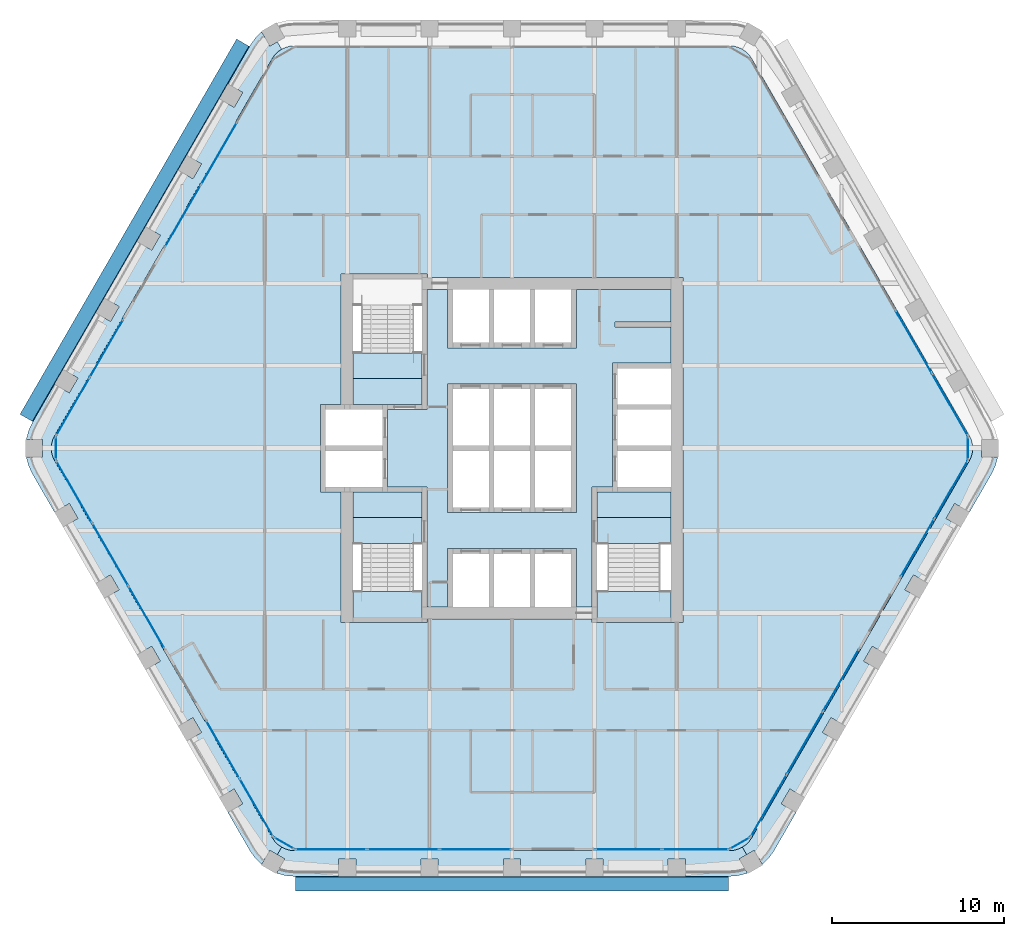
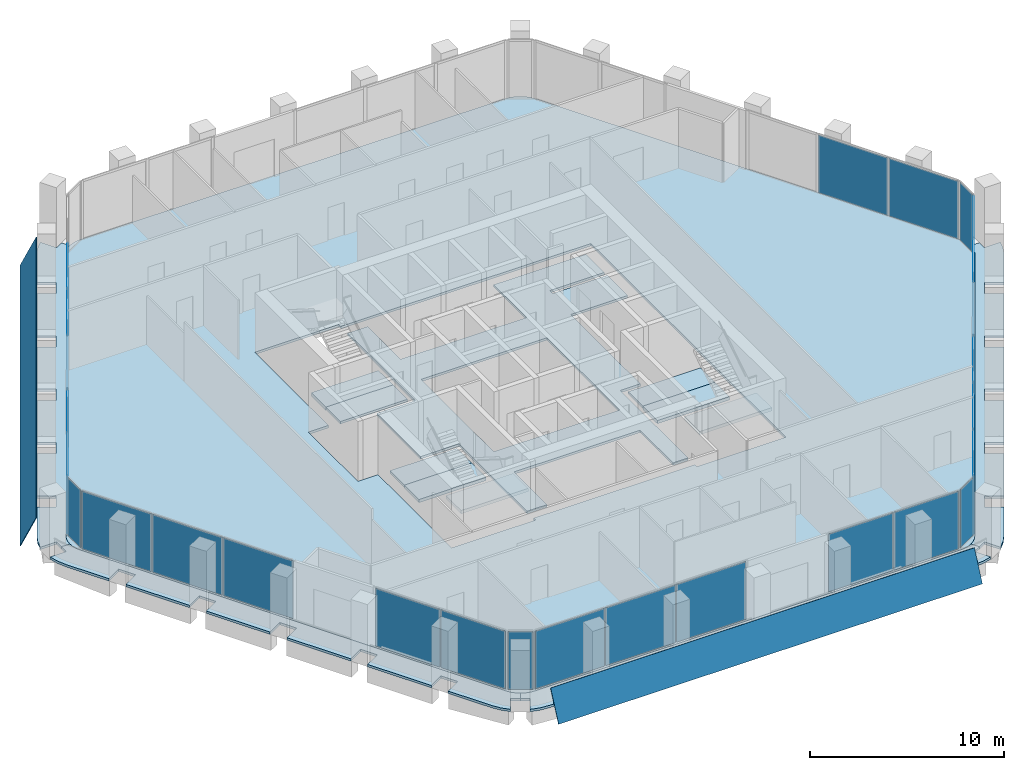
# One storey, part 7 of 15: 27 plates, 14 slabs, 16 elements without a shape of their own.
"""IFC4 building model written with IfcOpenShell, lengths in metres."""

from ifc_helpers import new_model, si_unit, direction, frame, origin, origin_2d, place, context, subcontext, project, spatial, polyline, rectangle, outline, extrude, material, layer, layer_set, type_object, element, aggregate, save


model = new_model("IFC4")

# Units and contexts
model_context = context("Model", 3, precision=1e-05, world=origin(), true_north=direction((0.0, 1.0)))
body_context = subcontext(model_context, "Body", "Model", "MODEL_VIEW")
ifc_project = project(units=[si_unit("LENGTHUNIT", "METRE"), si_unit("AREAUNIT", "SQUARE_METRE"), si_unit("VOLUMEUNIT", "CUBIC_METRE"), si_unit("PLANEANGLEUNIT", "RADIAN"), si_unit("MASSUNIT", "GRAM", prefix="KILO")], contexts=[model_context])

# Site, building, storey
site_placement = place(None, origin())
site = spatial("IfcSite", under=ifc_project, at=site_placement, CompositionType="ELEMENT")
building_placement = place(site_placement, origin())
building = spatial("IfcBuilding", under=site, at=building_placement, Name="Kolab Exchange Tower", CompositionType="ELEMENT")
storey_placement = place(building_placement, frame((0.0, 0.0, 173.89990234375)))
storey = spatial("IfcBuildingStorey", under=building, at=storey_placement, Name="L36", CompositionType="ELEMENT", Elevation=173.89990234375)

# Slabs
ifc_material_1 = material(Name="Concrete C35/45", Category="concrete")
ifc_layer_1 = layer(ifc_material_1, 0.14990234375)
ifc_layer_set_1 = layer_set([ifc_layer_1], Name="Concrete C35/45")
slab_type_1 = type_object("IfcSlabType", Name="FLOOR SLAB 150", PredefinedType="FLOOR", material=ifc_layer_set_1)
slab_1_placement = place(storey_placement, frame((0.0, 0.0, -0.14990234375)))
element("IfcSlab", 1, at=slab_1_placement, inside=storey, type_object=slab_type_1, Name="slab/L36/floor/0", PredefinedType="FLOOR", context=body_context, shape_type="SweptSolid", body=[
    extrude(outline(polyline([(13.967041015625, -22.691650390625), (26.635009765625, -0.75), (26.745361328125, -0.512939453125), (26.81298828125, -0.260498046875), (26.8359375, 0.0), (26.81298828125, 0.260498046875), (26.745361328125, 0.512939453125), (26.635009765625, 0.75), (13.967041015625, 22.691650390625), (13.81689453125, 22.90576171875), (13.632080078125, 23.090576171875), (13.41796875, 23.240478515625), (13.180908203125, 23.35107421875), (12.928466796875, 23.418701171875), (12.66796875, 23.441650390625), (-12.66796875, 23.441650390625), (-12.928466796875, 23.418701171875), (-13.180908203125, 23.35107421875), (-13.41796875, 23.240478515625), (-13.632080078125, 23.090576171875), (-13.81689453125, 22.90576171875), (-13.967041015625, 22.691650390625), (-26.635009765625, 0.75), (-26.745361328125, 0.512939453125), (-26.81298828125, 0.260498046875), (-26.8359375, 0.0), (-26.81298828125, -0.260498046875), (-26.745361328125, -0.512939453125), (-26.635009765625, -0.75), (-13.967041015625, -22.691650390625), (-13.81689453125, -22.90576171875), (-13.632080078125, -23.090576171875), (-13.41796875, -23.240478515625), (-13.180908203125, -23.35107421875), (-12.928466796875, -23.418701171875), (-12.66796875, -23.441650390625), (12.66796875, -23.441650390625), (12.928466796875, -23.418701171875), (13.180908203125, -23.35107421875), (13.41796875, -23.240478515625), (13.632080078125, -23.090576171875), (13.81689453125, -22.90576171875), (13.967041015625, -22.691650390625)]), holes=[polyline([(-9.25, -10.14990234375), (-9.949951171875, -10.14990234375), (-9.949951171875, -2.550048828125), (-10.85009765625, -2.550048828125), (-11.14990234375, -2.550048828125), (-11.14990234375, 2.550048828125), (-10.85009765625, 2.550048828125), (-9.949951171875, 2.550048828125), (-9.949951171875, 10.14990234375), (-9.25, 10.14990234375), (-5.25, 10.14990234375), (-4.949951171875, 10.14990234375), (-4.949951171875, 9.949951171875), (9.25, 9.949951171875), (9.949951171875, 9.949951171875), (9.949951171875, -10.14990234375), (9.25, -10.14990234375), (4.949951171875, -10.14990234375), (4.64990234375, -10.14990234375), (4.64990234375, -9.949951171875), (-4.949951171875, -9.949951171875), (-4.949951171875, -10.14990234375), (-5.25, -10.14990234375), (-9.25, -10.14990234375)])]), origin(), (0.0, 0.0, 1.0), 0.14990234375),
])
slab_2_placement = place(storey_placement, frame((0.0, 0.0, -0.14990234375)))
element("IfcSlab", 2, at=slab_2_placement, inside=storey, type_object=slab_type_1, Name="slab/L36/floor/1", PredefinedType="FLOOR", context=body_context, shape_type="SweptSolid", body=[
    extrude(outline(polyline([(-4.949951171875, 9.25), (-4.949951171875, 2.25), (-5.25, 2.25), (-7.25, 2.25), (-7.25, -2.25), (-5.25, -2.25), (-4.949951171875, -2.25), (-4.949951171875, -9.25), (-3.75, -9.25), (-3.75, -5.85009765625), (-3.449951171875, -5.85009765625), (-1.35009765625, -5.85009765625), (-1.050048828125, -5.85009765625), (1.050048828125, -5.85009765625), (1.35009765625, -5.85009765625), (3.449951171875, -5.85009765625), (3.75, -5.85009765625), (3.75, -9.25), (4.64990234375, -9.25), (4.64990234375, -2.25), (4.949951171875, -2.25), (5.85009765625, -2.25), (5.85009765625, 4.949951171875), (6.14990234375, 4.949951171875), (9.25, 4.949951171875), (9.25, 7.050048828125), (6.0, 7.050048828125), (6.0, 7.35009765625), (9.25, 7.35009765625), (9.25, 9.25), (3.75, 9.25), (3.75, 5.85009765625), (3.449951171875, 5.85009765625), (1.35009765625, 5.85009765625), (1.050048828125, 5.85009765625), (-1.050048828125, 5.85009765625), (-1.35009765625, 5.85009765625), (-3.449951171875, 5.85009765625), (-3.75, 5.85009765625), (-3.75, 9.25), (-4.949951171875, 9.25)]), holes=[polyline([(-3.449951171875, -3.75), (-3.75, -3.75), (-3.75, 3.75), (-3.449951171875, 3.75), (-1.35009765625, 3.75), (-1.050048828125, 3.75), (1.050048828125, 3.75), (1.35009765625, 3.75), (3.449951171875, 3.75), (3.75, 3.75), (3.75, -3.75), (3.449951171875, -3.75), (1.35009765625, -3.75), (1.050048828125, -3.75), (-1.050048828125, -3.75), (-1.35009765625, -3.75), (-3.449951171875, -3.75)])]), origin(), (0.0, 0.0, 1.0), 0.14990234375),
])
slab_3_placement = place(storey_placement, frame((0.0, 0.0, -0.14990234375)))
element("IfcSlab", 3, at=slab_3_placement, inside=storey, type_object=slab_type_1, Name="slab/L36/floor/2", PredefinedType="FLOOR", context=body_context, shape_type="SweptSolid", body=[
    extrude(outline(polyline([(4.949951171875, -4.050048828125), (9.25, -4.050048828125), (9.25, -2.550048828125), (6.14990234375, -2.550048828125), (5.85009765625, -2.550048828125), (4.949951171875, -2.550048828125), (4.949951171875, -4.050048828125)])), origin(), (0.0, 0.0, 1.0), 0.14990234375),
])
slab_4_placement = place(storey_placement, frame((0.0, 0.0, -0.14990234375)))
element("IfcSlab", 4, at=slab_4_placement, inside=storey, type_object=slab_type_1, Name="slab/L36/floor/3", PredefinedType="FLOOR", context=body_context, shape_type="SweptSolid", body=[
    extrude(outline(polyline([(-7.550048828125, -2.550048828125), (-9.25, -2.550048828125), (-9.25, -4.050048828125), (-5.25, -4.050048828125), (-5.25, -2.550048828125), (-7.25, -2.550048828125), (-7.550048828125, -2.550048828125)])), origin(), (0.0, 0.0, 1.0), 0.14990234375),
])
slab_5_placement = place(storey_placement, frame((0.0, 0.0, -0.14990234375)))
element("IfcSlab", 5, at=slab_5_placement, inside=storey, type_object=slab_type_1, Name="slab/L36/floor/4", PredefinedType="FLOOR", context=body_context, shape_type="SweptSolid", body=[
    extrude(outline(polyline([(-9.25, 2.550048828125), (-7.550048828125, 2.550048828125), (-7.25, 2.550048828125), (-5.25, 2.550048828125), (-5.25, 4.050048828125), (-9.25, 4.050048828125), (-9.25, 2.550048828125)])), origin(), (0.0, 0.0, 1.0), 0.14990234375),
])
ifc_layer_2 = layer(ifc_material_1, 0.14990234375)
ifc_layer_set_2 = layer_set([ifc_layer_2], Name="Concrete C35/45")
slab_type_2 = type_object("IfcSlabType", Name="LOGGIA SLAB 150", PredefinedType="FLOOR", material=ifc_layer_set_2)
slab_6_placement = place(storey_placement, frame((0.0, 0.0, -0.14990234375)))
element("IfcSlab", 6, at=slab_6_placement, inside=storey, type_object=slab_type_2, Name="slab/L36/loggia/2-0", PredefinedType="FLOOR", context=body_context, shape_type="SweptSolid", body=[
    extrude(outline(polyline([(15.26611328125, -23.441650390625), (16.550048828125, -21.217529296875), (15.68408203125, -20.717529296875), (16.18408203125, -19.8515625), (17.050048828125, -20.3515625), (18.949951171875, -17.060791015625), (18.083984375, -16.560791015625), (18.583984375, -15.694580078125), (19.449951171875, -16.194580078125), (21.35009765625, -12.90380859375), (20.48388671875, -12.40380859375), (20.98388671875, -11.537841796875), (21.85009765625, -12.037841796875), (23.75, -8.746826171875), (22.884033203125, -8.246826171875), (23.384033203125, -7.380859375), (24.25, -7.880859375), (26.14990234375, -4.58984375), (25.283935546875, -4.08984375), (25.783935546875, -3.223876953125), (26.64990234375, -3.723876953125), (27.93408203125, -1.5), (28.155029296875, -1.026123046875), (28.290283203125, -0.52099609375), (28.292236328125, -0.5), (27.3359375, -0.5), (27.3359375, 0.0), (26.8359375, 0.0), (26.81298828125, -0.260498046875), (26.745361328125, -0.512939453125), (26.635009765625, -0.75), (13.967041015625, -22.691650390625), (13.81689453125, -22.90576171875), (13.632080078125, -23.090576171875), (13.41796875, -23.240478515625), (13.66796875, -23.673583984375), (14.10107421875, -23.423583984375), (14.5791015625, -24.251708984375), (14.59619140625, -24.23974609375), (14.966064453125, -23.869873046875), (15.26611328125, -23.441650390625)])), origin(), (0.0, 0.0, 1.0), 0.14990234375),
])
slab_7_placement = place(storey_placement, frame((0.0, 0.0, -0.14990234375)))
element("IfcSlab", 7, at=slab_7_placement, inside=storey, type_object=slab_type_2, Name="slab/L36/loggia/3-0", PredefinedType="FLOOR", context=body_context, shape_type="SweptSolid", body=[
    extrude(outline(polyline([(-13.41796875, -23.240478515625), (-13.66796875, -23.673583984375), (-13.23486328125, -23.923583984375), (-13.713134765625, -24.751708984375), (-13.694091796875, -24.760498046875), (-13.18896484375, -24.89599609375), (-12.66796875, -24.941650390625), (-10.10009765625, -24.941650390625), (-10.10009765625, -23.941650390625), (-9.10009765625, -23.941650390625), (-9.10009765625, -24.941650390625), (-5.300048828125, -24.941650390625), (-5.300048828125, -23.941650390625), (-4.300048828125, -23.941650390625), (-4.300048828125, -24.941650390625), (-0.5, -24.941650390625), (-0.5, -23.941650390625), (0.5, -23.941650390625), (0.5, -24.941650390625), (4.300048828125, -24.941650390625), (4.300048828125, -23.941650390625), (5.300048828125, -23.941650390625), (5.300048828125, -24.941650390625), (9.10009765625, -24.941650390625), (9.10009765625, -23.941650390625), (10.10009765625, -23.941650390625), (10.10009765625, -24.941650390625), (12.66796875, -24.941650390625), (13.18896484375, -24.89599609375), (13.694091796875, -24.760498046875), (13.713134765625, -24.751708984375), (13.23486328125, -23.923583984375), (13.66796875, -23.673583984375), (13.41796875, -23.240478515625), (13.180908203125, -23.35107421875), (12.928466796875, -23.418701171875), (12.66796875, -23.441650390625), (-12.66796875, -23.441650390625), (-12.928466796875, -23.418701171875), (-13.180908203125, -23.35107421875), (-13.41796875, -23.240478515625)])), origin(), (0.0, 0.0, 1.0), 0.14990234375),
])
slab_8_placement = place(storey_placement, frame((0.0, 0.0, -0.14990234375)))
element("IfcSlab", 8, at=slab_8_placement, inside=storey, type_object=slab_type_2, Name="slab/L36/loggia/4-0", PredefinedType="FLOOR", context=body_context, shape_type="SweptSolid", body=[
    extrude(outline(polyline([(-26.8359375, 0.0), (-27.3359375, 0.0), (-27.3359375, -0.5), (-28.292236328125, -0.5), (-28.290283203125, -0.52099609375), (-28.155029296875, -1.026123046875), (-27.93408203125, -1.5), (-26.64990234375, -3.723876953125), (-25.783935546875, -3.223876953125), (-25.283935546875, -4.08984375), (-26.14990234375, -4.58984375), (-24.25, -7.880859375), (-23.384033203125, -7.380859375), (-22.884033203125, -8.246826171875), (-23.75, -8.746826171875), (-21.85009765625, -12.037841796875), (-20.98388671875, -11.537841796875), (-20.48388671875, -12.40380859375), (-21.35009765625, -12.90380859375), (-19.449951171875, -16.194580078125), (-18.583984375, -15.694580078125), (-18.083984375, -16.560791015625), (-18.949951171875, -17.060791015625), (-17.050048828125, -20.3515625), (-16.18408203125, -19.8515625), (-15.68408203125, -20.717529296875), (-16.550048828125, -21.217529296875), (-15.26611328125, -23.441650390625), (-14.966064453125, -23.869873046875), (-14.59619140625, -24.23974609375), (-14.5791015625, -24.251708984375), (-14.10107421875, -23.423583984375), (-13.66796875, -23.673583984375), (-13.41796875, -23.240478515625), (-13.632080078125, -23.090576171875), (-13.81689453125, -22.90576171875), (-13.967041015625, -22.691650390625), (-26.635009765625, -0.75), (-26.745361328125, -0.512939453125), (-26.81298828125, -0.260498046875), (-26.8359375, 0.0)])), origin(), (0.0, 0.0, 1.0), 0.14990234375),
])
slab_9_placement = place(storey_placement, frame((0.0, 0.0, -0.14990234375)))
element("IfcSlab", 9, at=slab_9_placement, inside=storey, type_object=slab_type_2, Name="slab/L36/loggia/5-0", PredefinedType="FLOOR", context=body_context, shape_type="SweptSolid", body=[
    extrude(outline(polyline([(-13.41796875, 23.240478515625), (-13.66796875, 23.673583984375), (-14.10107421875, 23.423583984375), (-14.5791015625, 24.251708984375), (-14.59619140625, 24.23974609375), (-14.966064453125, 23.869873046875), (-15.26611328125, 23.441650390625), (-16.550048828125, 21.217529296875), (-15.68408203125, 20.717529296875), (-16.18408203125, 19.8515625), (-17.050048828125, 20.3515625), (-18.949951171875, 17.060791015625), (-18.083984375, 16.560791015625), (-18.583984375, 15.694580078125), (-19.449951171875, 16.194580078125), (-21.35009765625, 12.90380859375), (-20.48388671875, 12.40380859375), (-20.98388671875, 11.537841796875), (-21.85009765625, 12.037841796875), (-23.75, 8.746826171875), (-22.884033203125, 8.246826171875), (-23.384033203125, 7.380859375), (-24.25, 7.880859375), (-26.14990234375, 4.58984375), (-25.283935546875, 4.08984375), (-25.783935546875, 3.223876953125), (-26.64990234375, 3.723876953125), (-27.93408203125, 1.5), (-28.155029296875, 1.026123046875), (-28.290283203125, 0.52099609375), (-28.292236328125, 0.5), (-27.3359375, 0.5), (-27.3359375, 0.0), (-26.8359375, 0.0), (-26.81298828125, 0.260498046875), (-26.745361328125, 0.512939453125), (-26.635009765625, 0.75), (-13.967041015625, 22.691650390625), (-13.81689453125, 22.90576171875), (-13.632080078125, 23.090576171875), (-13.41796875, 23.240478515625)])), origin(), (0.0, 0.0, 1.0), 0.14990234375),
])

# Plates
ifc_material_2 = material(Name="Laminated glass, clear", Category="glass")
ifc_layer_3 = layer(ifc_material_2, 0.0400390625)
ifc_layer_set_3 = layer_set([ifc_layer_3], Name="Laminated glass, clear")
plate_type_1 = type_object("IfcPlateType", Name="OUTER SKIN LAMINATED GLASS SHEET 40", PredefinedType="SHEET", material=ifc_layer_set_3)
plate_1_placement = place(storey_placement, frame((12.617919921875, -25.806640625, -0.68310546875), z_axis=(0.0, -0.906316657655, 0.422599238118), x_axis=(-1.0, 0.0, 0.0)))
element("IfcPlate", 10, at=plate_1_placement, inside=storey, type_object=plate_type_1, Name="Outer skin", PredefinedType="SHEET", context=body_context, shape_type="SweptSolid", body=[
    extrude(outline(polyline([(0.0, 0.0), (25.23583984375, 0.0), (25.23583984375, -1.961332030711248), (0.0, -1.961332030711248), (0.0, 0.0)])), origin(), (0.0, 0.0, -1.0), 0.0400390625),
])
plate_2_placement = place(storey_placement, frame((-28.658203125, 1.975830078125, -0.68310546875), z_axis=(-0.784898656704, 0.453161865271, 0.422585402693), x_axis=(0.499999968995, 0.866025421685, -9.26315e-07)))
element("IfcPlate", 11, at=plate_2_placement, inside=storey, type_object=plate_type_1, Name="Outer skin", PredefinedType="SHEET", context=body_context, shape_type="SweptSolid", body=[
    extrude(outline(polyline([(0.0, 0.0), (25.23592824607872, 0.0), (25.23580178082614, -1.96134386267648), (8.496673513263058e-05, -1.9612922777250188), (0.0, 0.0)])), origin(), (0.0, 0.0, -1.0), 0.0400390625),
])

# Stair, slab
ifc_material_3 = material(Name="Concrete C50/60", Category="concrete")
stair_type_1 = type_object("IfcStairType", Name="STAIR ST1 RISER 177.3", PredefinedType="HALF_TURN_STAIR", material=ifc_material_3)
stair_1_placement = place(storey_placement, origin())
stair_1 = element("IfcStair", 12, at=stair_1_placement, inside=storey, type_object=stair_type_1, Name="Stair 1", PredefinedType="HALF_TURN_STAIR")
ifc_layer_4 = layer(ifc_material_3, 0.199951171875)
ifc_layer_set_4 = layer_set([ifc_layer_4], Name="Concrete C50/60")
slab_type_3 = type_object("IfcSlabType", Name="STAIR LANDING 200", PredefinedType="LANDING", material=ifc_layer_set_4)
slab_10_placement = place(storey_placement, frame((0.0, 0.0, -0.199951171875)))
slab_10 = element("IfcSlab", 13, at=slab_10_placement, type_object=slab_type_3, Name="ST1 landing 1", PredefinedType="LANDING", context=body_context, shape_type="SweptSolid", body=[
    extrude(outline(polyline([(-9.25, 4.050048828125), (-5.25, 4.050048828125), (-5.25, 5.550048828125), (-9.25, 5.550048828125), (-9.25, 4.050048828125)])), origin(), (0.0, 0.0, 1.0), 0.199951171875),
])
aggregate(stair_1, [slab_10])

# Stair, slabs
stair_type_2 = type_object("IfcStairType", Name="STAIR ST3 RISER 177.3", PredefinedType="HALF_TURN_STAIR", material=ifc_material_3)
stair_2_placement = place(storey_placement, origin())
stair_2 = element("IfcStair", 14, at=stair_2_placement, inside=storey, type_object=stair_type_2, Name="Stair 3", PredefinedType="HALF_TURN_STAIR")
slab_11_placement = place(storey_placement, frame((0.0, 0.0, -0.199951171875)))
slab_11 = element("IfcSlab", 15, at=slab_11_placement, type_object=slab_type_3, Name="ST3 landing 1", PredefinedType="LANDING", context=body_context, shape_type="SweptSolid", body=[
    extrude(outline(polyline([(-9.25, -5.550048828125), (-5.25, -5.550048828125), (-5.25, -4.050048828125), (-9.25, -4.050048828125), (-9.25, -5.550048828125)])), origin(), (0.0, 0.0, 1.0), 0.199951171875),
])
slab_12_placement = place(storey_placement, frame((0.0, 0.0, 1.75)))
slab_12 = element("IfcSlab", 16, at=slab_12_placement, type_object=slab_type_3, Name="ST3 landing 2", PredefinedType="LANDING", context=body_context, shape_type="SweptSolid", body=[
    extrude(outline(polyline([(-9.25, -9.909912109375), (-5.25, -9.909912109375), (-5.25, -8.35009765625), (-9.25, -8.35009765625), (-9.25, -9.909912109375)])), origin(), (0.0, 0.0, 1.0), 0.2001953125),
])
aggregate(stair_2, [slab_11, slab_12])

stair_type_3 = type_object("IfcStairType", Name="STAIR ST2 RISER 177.3", PredefinedType="HALF_TURN_STAIR", material=ifc_material_3)
stair_3_placement = place(storey_placement, origin())
stair_3 = element("IfcStair", 17, at=stair_3_placement, inside=storey, type_object=stair_type_3, Name="Stair 2", PredefinedType="HALF_TURN_STAIR")
slab_13_placement = place(storey_placement, frame((0.0, 0.0, -0.199951171875)))
slab_13 = element("IfcSlab", 18, at=slab_13_placement, type_object=slab_type_3, Name="ST2 landing 1", PredefinedType="LANDING", context=body_context, shape_type="SweptSolid", body=[
    extrude(outline(polyline([(4.949951171875, -5.550048828125), (9.25, -5.550048828125), (9.25, -4.050048828125), (4.949951171875, -4.050048828125), (4.949951171875, -5.550048828125)])), origin(), (0.0, 0.0, 1.0), 0.199951171875),
])
slab_14_placement = place(storey_placement, frame((0.0, 0.0, 1.75)))
slab_14 = element("IfcSlab", 19, at=slab_14_placement, type_object=slab_type_3, Name="ST2 landing 2", PredefinedType="LANDING", context=body_context, shape_type="SweptSolid", body=[
    extrude(outline(polyline([(4.949951171875, -9.909912109375), (9.25, -9.909912109375), (9.25, -8.35009765625), (4.949951171875, -8.35009765625), (4.949951171875, -9.909912109375)])), origin(), (0.0, 0.0, 1.0), 0.2001953125),
])
aggregate(stair_3, [slab_13, slab_14])

# Curtain wall, plates
ifc_material_4 = material(Name="Aluminium EN AW-6063 T6", Category="aluminium")
curtain_wall_type = type_object("IfcCurtainWallType", Name="UNITISED UPPER MID ZONE CURTAIN WALL", PredefinedType="NOTDEFINED", material=ifc_material_4)
curtain_wall_1_placement = place(storey_placement, origin())
curtain_wall_1 = element("IfcCurtainWall", 20, at=curtain_wall_1_placement, inside=storey, type_object=curtain_wall_type, Name="cw/L36/F2-2", PredefinedType="NOTDEFINED")
ifc_material_5 = material(Name="Clear insulated glazing unit", Category="glass")
ifc_layer_5 = layer(ifc_material_5, 0.028076171875)
ifc_layer_set_5 = layer_set([ifc_layer_5], Name="Clear insulated glazing unit")
plate_type_2 = type_object("IfcPlateType", Name="UNITISED UPPER MID ZONE GLASS PANEL 28", PredefinedType="CURTAIN_PANEL", material=ifc_layer_set_5)
plate_3_placement = place(storey_placement, frame((23.398681640625, 6.1953125, 0.06005859375), z_axis=(0.0, 0.0, 1.0), x_axis=(0.499999958358, -0.866025427826, 0.0)))
plate_3 = element("IfcPlate", 21, at=plate_3_placement, type_object=plate_type_2, Name="CW3 panel 2.1", PredefinedType="CURTAIN_PANEL", context=body_context, shape_type="SweptSolid", body=[
    extrude(rectangle(XDim=4.16259765625, YDim=0.028076171875, at=origin_2d()), origin(), (0.0, 0.0, 1.0), 3.6298828125),
])
plate_4_placement = place(storey_placement, frame((25.50244140625, 2.551513671875, 0.06005859375), z_axis=(0.0, 0.0, 1.0), x_axis=(0.499999958358, -0.866025427826, 0.0)))
plate_4 = element("IfcPlate", 22, at=plate_4_placement, type_object=plate_type_2, Name="CW3 panel 3.1", PredefinedType="CURTAIN_PANEL", context=body_context, shape_type="SweptSolid", body=[
    extrude(rectangle(XDim=4.132568359375, YDim=0.028076171875, at=origin_2d()), origin(), (0.0, 0.0, 1.0), 3.6298828125),
])
aggregate(curtain_wall_1, [plate_3, plate_4])

curtain_wall_2_placement = place(storey_placement, origin())
curtain_wall_2 = element("IfcCurtainWall", 23, at=curtain_wall_2_placement, inside=storey, type_object=curtain_wall_type, Name="cw/L36/F3-1", PredefinedType="NOTDEFINED")
plate_5_placement = place(storey_placement, frame((25.57470703125, -2.426513671875, 0.06005859375), z_axis=(0.0, 0.0, 1.0), x_axis=(-0.499999936366, -0.866025440524, 0.0)))
plate_5 = element("IfcPlate", 24, at=plate_5_placement, type_object=plate_type_2, Name="CW3 panel 1.1", PredefinedType="CURTAIN_PANEL", context=body_context, shape_type="SweptSolid", body=[
    extrude(rectangle(XDim=3.843994140625, YDim=0.028076171875, at=origin_2d()), origin(), (0.0, 0.0, 1.0), 3.6298828125),
])
plate_6_placement = place(storey_placement, frame((23.62255859375, -5.807373046875, 0.06005859375), z_axis=(0.0, 0.0, 1.0), x_axis=(-0.499999936366, -0.866025440524, 0.0)))
plate_6 = element("IfcPlate", 25, at=plate_6_placement, type_object=plate_type_2, Name="CW3 panel 2.1", PredefinedType="CURTAIN_PANEL", context=body_context, shape_type="SweptSolid", body=[
    extrude(rectangle(XDim=3.843994140625, YDim=0.028076171875, at=origin_2d()), origin(), (0.0, 0.0, 1.0), 3.6298828125),
])
aggregate(curtain_wall_2, [plate_5, plate_6])

curtain_wall_3_placement = place(storey_placement, origin())
curtain_wall_3 = element("IfcCurtainWall", 26, at=curtain_wall_3_placement, inside=storey, type_object=curtain_wall_type, Name="cw/L36/F3-2", PredefinedType="NOTDEFINED")
plate_7_placement = place(storey_placement, frame((19.16845703125, -13.522216796875, 0.06005859375), z_axis=(0.0, 0.0, 1.0), x_axis=(-0.500000017564, -0.866025393644, 0.0)))
plate_7 = element("IfcPlate", 27, at=plate_7_placement, type_object=plate_type_2, Name="CW3 panel 1.1", PredefinedType="CURTAIN_PANEL", context=body_context, shape_type="SweptSolid", body=[
    extrude(rectangle(XDim=4.132568359375, YDim=0.028076171875, at=origin_2d()), origin(), (0.0, 0.0, 1.0), 3.6298828125),
])
plate_8_placement = place(storey_placement, frame((17.064697265625, -17.166259765625, 0.06005859375), z_axis=(0.0, 0.0, 1.0), x_axis=(-0.500000017564, -0.866025393644, 0.0)))
plate_8 = element("IfcPlate", 28, at=plate_8_placement, type_object=plate_type_2, Name="CW3 panel 2.1", PredefinedType="CURTAIN_PANEL", context=body_context, shape_type="SweptSolid", body=[
    extrude(rectangle(XDim=4.16259765625, YDim=0.028076171875, at=origin_2d()), origin(), (0.0, 0.0, 1.0), 3.6298828125),
])
plate_9_placement = place(storey_placement, frame((14.9609375, -20.81005859375, 0.06005859375), z_axis=(0.0, 0.0, 1.0), x_axis=(-0.500000017564, -0.866025393644, 0.0)))
plate_9 = element("IfcPlate", 29, at=plate_9_placement, type_object=plate_type_2, Name="CW3 panel 3.1", PredefinedType="CURTAIN_PANEL", context=body_context, shape_type="SweptSolid", body=[
    extrude(rectangle(XDim=4.132568359375, YDim=0.028076171875, at=origin_2d()), origin(), (0.0, 0.0, 1.0), 3.6298828125),
])
aggregate(curtain_wall_3, [plate_7, plate_8, plate_9])

curtain_wall_4_placement = place(storey_placement, origin())
curtain_wall_4 = element("IfcCurtainWall", 30, at=curtain_wall_4_placement, inside=storey, type_object=curtain_wall_type, Name="cw/L36/F4-1", PredefinedType="NOTDEFINED")
plate_10_placement = place(storey_placement, frame((10.68603515625, -23.361572265625, 0.06005859375), z_axis=(0.0, 0.0, 1.0), x_axis=(-1.0, 0.0, 0.0)))
plate_10 = element("IfcPlate", 31, at=plate_10_placement, type_object=plate_type_2, Name="CW3 panel 1.1", PredefinedType="CURTAIN_PANEL", context=body_context, shape_type="SweptSolid", body=[
    extrude(rectangle(XDim=3.843994140625, YDim=0.028076171875, at=origin_2d()), origin(), (0.0, 0.0, 1.0), 3.6298828125),
])
plate_11_placement = place(storey_placement, frame((6.781982421875, -23.361572265625, 0.06005859375), z_axis=(0.0, 0.0, 1.0), x_axis=(-1.0, 0.0, 0.0)))
plate_11 = element("IfcPlate", 32, at=plate_11_placement, type_object=plate_type_2, Name="CW3 panel 2.1", PredefinedType="CURTAIN_PANEL", context=body_context, shape_type="SweptSolid", body=[
    extrude(rectangle(XDim=3.843994140625, YDim=0.028076171875, at=origin_2d()), origin(), (0.0, 0.0, 1.0), 3.6298828125),
])
aggregate(curtain_wall_4, [plate_10, plate_11])

curtain_wall_5_placement = place(storey_placement, origin())
curtain_wall_5 = element("IfcCurtainWall", 33, at=curtain_wall_5_placement, inside=storey, type_object=curtain_wall_type, Name="cw/L36/F4-2", PredefinedType="NOTDEFINED")
plate_12_placement = place(storey_placement, frame((-2.126220703125, -23.361572265625, 0.06005859375), z_axis=(0.0, 0.0, 1.0), x_axis=(-1.0, 0.0, 0.0)))
plate_12 = element("IfcPlate", 34, at=plate_12_placement, type_object=plate_type_2, Name="CW3 panel 1.1", PredefinedType="CURTAIN_PANEL", context=body_context, shape_type="SweptSolid", body=[
    extrude(rectangle(XDim=4.132568359375, YDim=0.028076171875, at=origin_2d()), origin(), (0.0, 0.0, 1.0), 3.6298828125),
])
plate_13_placement = place(storey_placement, frame((-6.333984375, -23.361572265625, 0.06005859375), z_axis=(0.0, 0.0, 1.0), x_axis=(-1.0, 0.0, 0.0)))
plate_13 = element("IfcPlate", 35, at=plate_13_placement, type_object=plate_type_2, Name="CW3 panel 2.1", PredefinedType="CURTAIN_PANEL", context=body_context, shape_type="SweptSolid", body=[
    extrude(rectangle(XDim=4.16259765625, YDim=0.028076171875, at=origin_2d()), origin(), (0.0, 0.0, 1.0), 3.6298828125),
])
plate_14_placement = place(storey_placement, frame((-10.54150390625, -23.361572265625, 0.06005859375), z_axis=(0.0, 0.0, 1.0), x_axis=(-1.0, 0.0, 0.0)))
plate_14 = element("IfcPlate", 36, at=plate_14_placement, type_object=plate_type_2, Name="CW3 panel 3.1", PredefinedType="CURTAIN_PANEL", context=body_context, shape_type="SweptSolid", body=[
    extrude(rectangle(XDim=4.132568359375, YDim=0.028076171875, at=origin_2d()), origin(), (0.0, 0.0, 1.0), 3.6298828125),
])
aggregate(curtain_wall_5, [plate_12, plate_13, plate_14])

curtain_wall_6_placement = place(storey_placement, origin())
curtain_wall_6 = element("IfcCurtainWall", 37, at=curtain_wall_6_placement, inside=storey, type_object=curtain_wall_type, Name="cw/L36/F5-1", PredefinedType="NOTDEFINED")
plate_15_placement = place(storey_placement, frame((-14.888671875, -20.93505859375, 0.06005859375), z_axis=(0.0, 0.0, 1.0), x_axis=(-0.500000031681, 0.866025385493, 0.0)))
plate_15 = element("IfcPlate", 38, at=plate_15_placement, type_object=plate_type_2, Name="CW3 panel 1.1", PredefinedType="CURTAIN_PANEL", context=body_context, shape_type="SweptSolid", body=[
    extrude(rectangle(XDim=3.843994140625, YDim=0.028076171875, at=origin_2d()), origin(), (0.0, 0.0, 1.0), 3.6298828125),
])
plate_16_placement = place(storey_placement, frame((-16.840576171875, -17.55419921875, 0.06005859375), z_axis=(0.0, 0.0, 1.0), x_axis=(-0.500000031681, 0.866025385493, 0.0)))
plate_16 = element("IfcPlate", 39, at=plate_16_placement, type_object=plate_type_2, Name="CW3 panel 2.1", PredefinedType="CURTAIN_PANEL", context=body_context, shape_type="SweptSolid", body=[
    extrude(rectangle(XDim=3.843994140625, YDim=0.028076171875, at=origin_2d()), origin(), (0.0, 0.0, 1.0), 3.6298828125),
])
aggregate(curtain_wall_6, [plate_15, plate_16])

curtain_wall_7_placement = place(storey_placement, origin())
curtain_wall_7 = element("IfcCurtainWall", 40, at=curtain_wall_7_placement, inside=storey, type_object=curtain_wall_type, Name="cw/L36/F5-2", PredefinedType="NOTDEFINED")
plate_17_placement = place(storey_placement, frame((-21.294921875, -9.83935546875, 0.06005859375), z_axis=(0.0, 0.0, 1.0), x_axis=(-0.499999958358, 0.866025427826, 0.0)))
plate_17 = element("IfcPlate", 41, at=plate_17_placement, type_object=plate_type_2, Name="CW3 panel 1.1", PredefinedType="CURTAIN_PANEL", context=body_context, shape_type="SweptSolid", body=[
    extrude(rectangle(XDim=4.132568359375, YDim=0.028076171875, at=origin_2d()), origin(), (0.0, 0.0, 1.0), 3.6298828125),
])
plate_18_placement = place(storey_placement, frame((-23.398681640625, -6.1953125, 0.06005859375), z_axis=(0.0, 0.0, 1.0), x_axis=(-0.499999958358, 0.866025427826, 0.0)))
plate_18 = element("IfcPlate", 42, at=plate_18_placement, type_object=plate_type_2, Name="CW3 panel 2.1", PredefinedType="CURTAIN_PANEL", context=body_context, shape_type="SweptSolid", body=[
    extrude(rectangle(XDim=4.16259765625, YDim=0.028076171875, at=origin_2d()), origin(), (0.0, 0.0, 1.0), 3.6298828125),
])
plate_19_placement = place(storey_placement, frame((-25.50244140625, -2.551513671875, 0.06005859375), z_axis=(0.0, 0.0, 1.0), x_axis=(-0.499999958358, 0.866025427826, 0.0)))
plate_19 = element("IfcPlate", 43, at=plate_19_placement, type_object=plate_type_2, Name="CW3 panel 3.1", PredefinedType="CURTAIN_PANEL", context=body_context, shape_type="SweptSolid", body=[
    extrude(rectangle(XDim=4.132568359375, YDim=0.028076171875, at=origin_2d()), origin(), (0.0, 0.0, 1.0), 3.6298828125),
])
aggregate(curtain_wall_7, [plate_17, plate_18, plate_19])

curtain_wall_8_placement = place(storey_placement, origin())
curtain_wall_8 = element("IfcCurtainWall", 44, at=curtain_wall_8_placement, inside=storey, type_object=curtain_wall_type, Name="cw/L36/F6-1", PredefinedType="NOTDEFINED")
plate_20_placement = place(storey_placement, frame((-25.57470703125, 2.426513671875, 0.06005859375), z_axis=(0.0, 0.0, 1.0), x_axis=(0.499999936366, 0.866025440524, 0.0)))
plate_20 = element("IfcPlate", 45, at=plate_20_placement, type_object=plate_type_2, Name="CW3 panel 1.1", PredefinedType="CURTAIN_PANEL", context=body_context, shape_type="SweptSolid", body=[
    extrude(rectangle(XDim=3.843994140625, YDim=0.028076171875, at=origin_2d()), origin(), (0.0, 0.0, 1.0), 3.6298828125),
])
plate_21_placement = place(storey_placement, frame((-23.62255859375, 5.807373046875, 0.06005859375), z_axis=(0.0, 0.0, 1.0), x_axis=(0.499999936366, 0.866025440524, 0.0)))
plate_21 = element("IfcPlate", 46, at=plate_21_placement, type_object=plate_type_2, Name="CW3 panel 2.1", PredefinedType="CURTAIN_PANEL", context=body_context, shape_type="SweptSolid", body=[
    extrude(rectangle(XDim=3.843994140625, YDim=0.028076171875, at=origin_2d()), origin(), (0.0, 0.0, 1.0), 3.6298828125),
])
aggregate(curtain_wall_8, [plate_20, plate_21])

curtain_wall_9_placement = place(storey_placement, origin())
curtain_wall_9 = element("IfcCurtainWall", 47, at=curtain_wall_9_placement, inside=storey, type_object=curtain_wall_type, Name="cw/L36/F6-2", PredefinedType="NOTDEFINED")
plate_22_placement = place(storey_placement, frame((-19.16845703125, 13.522216796875, 0.06005859375), z_axis=(0.0, 0.0, 1.0), x_axis=(0.500000017564, 0.866025393644, 0.0)))
plate_22 = element("IfcPlate", 48, at=plate_22_placement, type_object=plate_type_2, Name="CW3 panel 1.1", PredefinedType="CURTAIN_PANEL", context=body_context, shape_type="SweptSolid", body=[
    extrude(rectangle(XDim=4.132568359375, YDim=0.028076171875, at=origin_2d()), origin(), (0.0, 0.0, 1.0), 3.6298828125),
])
plate_23_placement = place(storey_placement, frame((-17.064697265625, 17.166259765625, 0.06005859375), z_axis=(0.0, 0.0, 1.0), x_axis=(0.500000017564, 0.866025393644, 0.0)))
plate_23 = element("IfcPlate", 49, at=plate_23_placement, type_object=plate_type_2, Name="CW3 panel 2.1", PredefinedType="CURTAIN_PANEL", context=body_context, shape_type="SweptSolid", body=[
    extrude(rectangle(XDim=4.16259765625, YDim=0.028076171875, at=origin_2d()), origin(), (0.0, 0.0, 1.0), 3.6298828125),
])
aggregate(curtain_wall_9, [plate_22, plate_23])

# Curtain wall, plate
curtain_wall_10_placement = place(storey_placement, origin())
curtain_wall_10 = element("IfcCurtainWall", 50, at=curtain_wall_10_placement, inside=storey, type_object=curtain_wall_type, Name="cw/L36/F2F3-corner", PredefinedType="NOTDEFINED")
plate_24_placement = place(storey_placement, frame((26.565673828125, 0.0, 0.06005859375), z_axis=(0.0, 0.0, 1.0), x_axis=(0.0, -1.0, 0.0)))
plate_24 = element("IfcPlate", 51, at=plate_24_placement, type_object=plate_type_2, Name="CW3 panel 1.1", PredefinedType="CURTAIN_PANEL", context=body_context, shape_type="SweptSolid", body=[
    extrude(rectangle(XDim=1.300048828125, YDim=0.028076171875, at=origin_2d()), origin(), (0.0, 0.0, 1.0), 3.6298828125),
])
aggregate(curtain_wall_10, [plate_24])

curtain_wall_11_placement = place(storey_placement, origin())
curtain_wall_11 = element("IfcCurtainWall", 52, at=curtain_wall_11_placement, inside=storey, type_object=curtain_wall_type, Name="cw/L36/F3F4-corner", PredefinedType="NOTDEFINED")
plate_25_placement = place(storey_placement, frame((13.28271484375, -23.006591796875, 0.06005859375), z_axis=(0.0, 0.0, 1.0), x_axis=(-0.866025390869, -0.50000002237, 0.0)))
plate_25 = element("IfcPlate", 53, at=plate_25_placement, type_object=plate_type_2, Name="CW3 panel 1.1", PredefinedType="CURTAIN_PANEL", context=body_context, shape_type="SweptSolid", body=[
    extrude(rectangle(XDim=1.300048828125, YDim=0.028076171875, at=origin_2d()), origin(), (0.0, 0.0, 1.0), 3.6298828125),
])
aggregate(curtain_wall_11, [plate_25])

curtain_wall_12_placement = place(storey_placement, origin())
curtain_wall_12 = element("IfcCurtainWall", 54, at=curtain_wall_12_placement, inside=storey, type_object=curtain_wall_type, Name="cw/L36/F4F5-corner", PredefinedType="NOTDEFINED")
plate_26_placement = place(storey_placement, frame((-13.28271484375, -23.006591796875, 0.06005859375), z_axis=(0.0, 0.0, 1.0), x_axis=(-0.866025390869, 0.50000002237, 0.0)))
plate_26 = element("IfcPlate", 55, at=plate_26_placement, type_object=plate_type_2, Name="CW3 panel 1.1", PredefinedType="CURTAIN_PANEL", context=body_context, shape_type="SweptSolid", body=[
    extrude(rectangle(XDim=1.300048828125, YDim=0.028076171875, at=origin_2d()), origin(), (0.0, 0.0, 1.0), 3.6298828125),
])
aggregate(curtain_wall_12, [plate_26])

curtain_wall_13_placement = place(storey_placement, origin())
curtain_wall_13 = element("IfcCurtainWall", 56, at=curtain_wall_13_placement, inside=storey, type_object=curtain_wall_type, Name="cw/L36/F5F6-corner", PredefinedType="NOTDEFINED")
plate_27_placement = place(storey_placement, frame((-26.565673828125, 0.0, 0.06005859375), z_axis=(0.0, 0.0, 1.0), x_axis=(0.0, 1.0, 0.0)))
plate_27 = element("IfcPlate", 57, at=plate_27_placement, type_object=plate_type_2, Name="CW3 panel 1.1", PredefinedType="CURTAIN_PANEL", context=body_context, shape_type="SweptSolid", body=[
    extrude(rectangle(XDim=1.300048828125, YDim=0.028076171875, at=origin_2d()), origin(), (0.0, 0.0, 1.0), 3.6298828125),
])
aggregate(curtain_wall_13, [plate_27])

save(model, "model.ifc")
